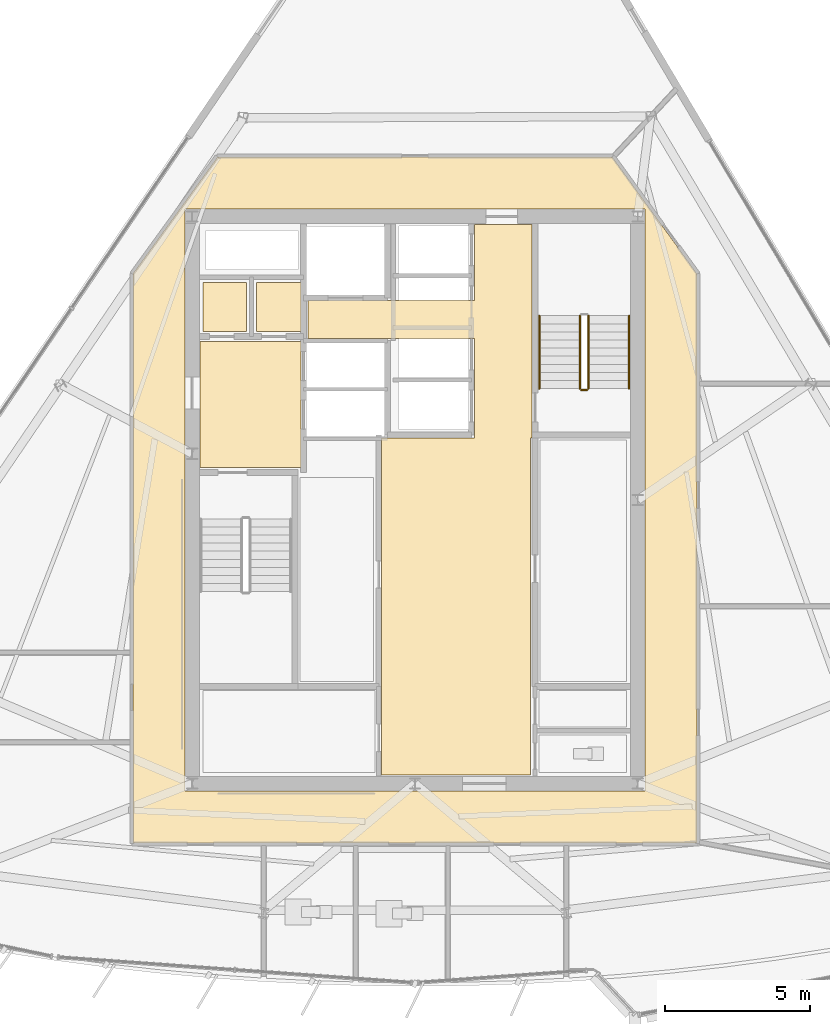
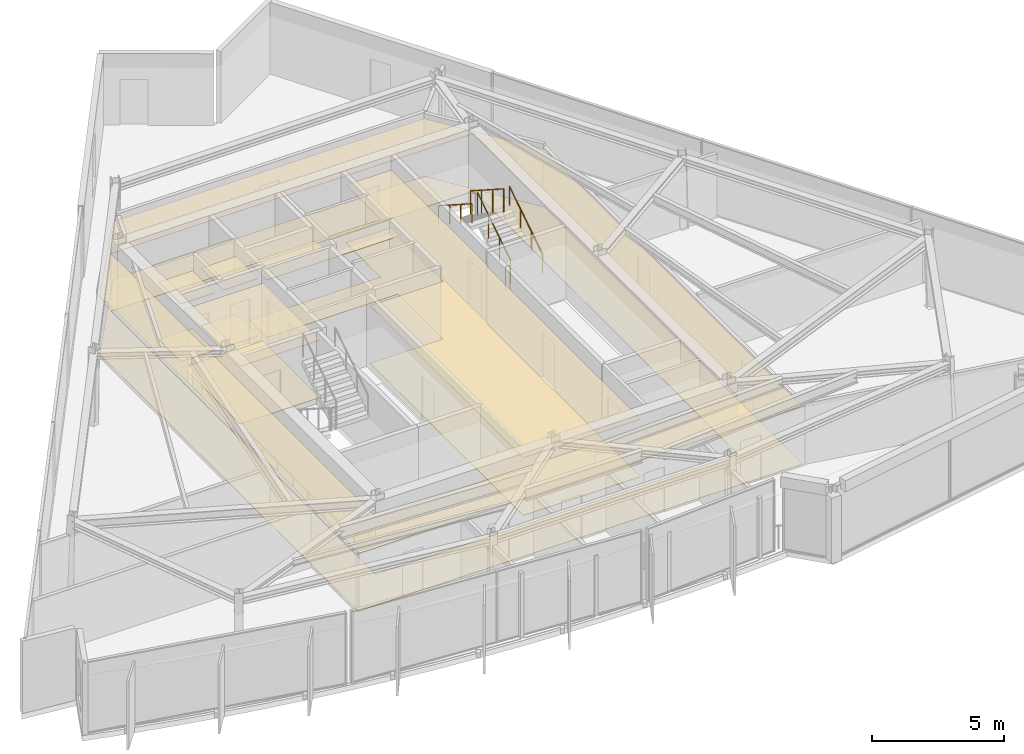
# One storey, part 10 of 13: 10 coverings, 5 railings.
"""IFC4 building model written with IfcOpenShell, lengths in metres."""

from ifc_helpers import new_model, si_unit, direction, frame, origin, origin_2d, place, context, subcontext, project, spatial, polyline, circle, outline, extrude, material, layer, layer_set, type_object, element, save


model = new_model("IFC4")

# Units and contexts
model_context = context("Model", 3, precision=1e-05, world=origin(), true_north=direction((0.0, 1.0)))
body_context = subcontext(model_context, "Body", "Model", "MODEL_VIEW")
ifc_project = project(units=[si_unit("LENGTHUNIT", "METRE"), si_unit("AREAUNIT", "SQUARE_METRE"), si_unit("VOLUMEUNIT", "CUBIC_METRE"), si_unit("PLANEANGLEUNIT", "RADIAN"), si_unit("MASSUNIT", "GRAM", prefix="KILO")], contexts=[model_context])

# Site, building, storey
site_placement = place(None, origin())
site = spatial("IfcSite", under=ifc_project, at=site_placement, CompositionType="ELEMENT")
building_placement = place(site_placement, origin())
building = spatial("IfcBuilding", under=site, at=building_placement, Name="Savorim Split Tower", CompositionType="ELEMENT")
storey_placement = place(building_placement, frame((0.0, 0.0, 265.199951171875)))
storey = spatial("IfcBuildingStorey", under=building, at=storey_placement, Name="L70", CompositionType="ELEMENT", Elevation=265.199951171875)

# Coverings
ifc_material_1 = material(Name="Mineral Fibre Acoustic Ceiling")
ifc_layer_1 = layer(ifc_material_1, 0.02490234375)
ifc_layer_set_1 = layer_set([ifc_layer_1], Name="COV-CEIL-25")
covering_type_1 = type_object("IfcCoveringType", Name="COV-CEIL-25", PredefinedType="CEILING", material=ifc_layer_set_1)
covering_1_placement = place(storey_placement, frame((0.0, 0.0, 2.670166015625)))
element("IfcCovering", 1, at=covering_1_placement, inside=storey, type_object=covering_type_1, Name="L70 Firefighting Lift Lobby Acoustic Ceiling", PredefinedType="CEILING", context=body_context, shape_type="SweptSolid", body=[
    extrude(outline(polyline([(-7.429931640625, 5.8701171875), (-7.429931640625, 1.530029296875), (-3.929931640625, 1.530029296875), (-3.929931640625, 5.8701171875), (-7.429931640625, 5.8701171875)])), origin(), (0.0, 0.0, 1.0), 0.02490234375),
])
covering_2_placement = place(storey_placement, frame((0.0, 0.0, 2.670166015625)))
element("IfcCovering", 2, at=covering_2_placement, inside=storey, type_object=covering_type_1, Name="L70 Electrical Riser Acoustic Ceiling", PredefinedType="CEILING", context=body_context, shape_type="SweptSolid", body=[
    extrude(outline(polyline([(-7.320068359375, 7.919921875), (-7.320068359375, 6.22998046875), (-5.830078125, 6.22998046875), (-5.830078125, 7.919921875), (-7.320068359375, 7.919921875)])), origin(), (0.0, 0.0, 1.0), 0.02490234375),
])
covering_3_placement = place(storey_placement, frame((0.0, 0.0, 2.670166015625)))
element("IfcCovering", 3, at=covering_3_placement, inside=storey, type_object=covering_type_1, Name="L70 Telecom Riser Acoustic Ceiling", PredefinedType="CEILING", context=body_context, shape_type="SweptSolid", body=[
    extrude(outline(polyline([(-5.469970703125, 7.919921875), (-5.469970703125, 6.22998046875), (-3.929931640625, 6.22998046875), (-3.929931640625, 7.919921875), (-5.469970703125, 7.919921875)])), origin(), (0.0, 0.0, 1.0), 0.02490234375),
])
covering_4_placement = place(storey_placement, frame((0.0, 0.0, 2.670166015625)))
element("IfcCovering", 4, at=covering_4_placement, inside=storey, type_object=covering_type_1, Name="L70 Lift Lobby Acoustic Ceiling", PredefinedType="CEILING", context=body_context, shape_type="SweptSolid", body=[
    extrude(outline(polyline([(2.050048828125, 2.550048828125), (-1.14990234375, 2.550048828125), (-1.14990234375, -9.10009765625), (4.0, -9.10009765625), (4.0, 2.550048828125), (4.050048828125, 2.550048828125), (4.050048828125, 5.97998046875), (4.050048828125, 7.300048828125), (4.050048828125, 9.929931640625), (2.050048828125, 9.929931640625), (2.050048828125, 7.300048828125), (-3.699951171875, 7.300048828125), (-3.699951171875, 5.97998046875), (2.050048828125, 5.97998046875), (2.050048828125, 2.550048828125)])), origin(), (0.0, 0.0, 1.0), 0.02490234375),
])
covering_5_placement = place(storey_placement, frame((0.0, 0.0, 2.670166015625)))
element("IfcCovering", 5, at=covering_5_placement, inside=storey, type_object=covering_type_1, Name="L70 Corridor Acoustic Ceiling", PredefinedType="CEILING", context=body_context, shape_type="SweptSolid", body=[
    extrude(outline(polyline([(6.809326171875, 12.2490234375), (6.8046875, 12.249755859375), (6.800048828125, 12.25), (-6.800048828125, 12.25), (-6.8046875, 12.249755859375), (-6.809326171875, 12.2490234375), (-6.81396484375, 12.248046875), (-6.818359375, 12.24658203125), (-6.82275390625, 12.244384765625), (-6.826904296875, 12.2421875), (-6.830810546875, 12.239501953125), (-6.834228515625, 12.236328125), (-6.83740234375, 12.23291015625), (-6.840576171875, 12.229248046875), (-9.740478515625, 8.229248046875), (-9.743408203125, 8.22509765625), (-9.74560546875, 8.22021484375), (-9.74755859375, 8.21533203125), (-9.748779296875, 8.21044921875), (-9.749755859375, 8.205078125), (-9.75, 8.199951171875), (-9.75, -11.39990234375), (-9.749755859375, -11.40478515625), (-9.7490234375, -11.409912109375), (-9.747802734375, -11.41455078125), (-9.74609375, -11.419189453125), (-9.744140625, -11.423583984375), (-9.74169921875, -11.427734375), (-9.73876953125, -11.431640625), (-9.7353515625, -11.435302734375), (-9.731689453125, -11.438720703125), (-9.727783203125, -11.441650390625), (-9.7236328125, -11.444091796875), (-9.718994140625, -11.4462890625), (-9.714599609375, -11.44775390625), (-9.709716796875, -11.448974609375), (-9.704833984375, -11.44970703125), (-9.699951171875, -11.449951171875), (9.699951171875, -11.449951171875), (9.704833984375, -11.44970703125), (9.709716796875, -11.448974609375), (9.714599609375, -11.44775390625), (9.718994140625, -11.4462890625), (9.7236328125, -11.444091796875), (9.727783203125, -11.441650390625), (9.731689453125, -11.438720703125), (9.7353515625, -11.435302734375), (9.73876953125, -11.431640625), (9.74169921875, -11.427734375), (9.744140625, -11.423583984375), (9.74609375, -11.419189453125), (9.747802734375, -11.41455078125), (9.7490234375, -11.409912109375), (9.749755859375, -11.40478515625), (9.75, -11.39990234375), (9.75, 8.199951171875), (9.749755859375, 8.205078125), (9.748779296875, 8.21044921875), (9.74755859375, 8.21533203125), (9.74560546875, 8.22021484375), (9.743408203125, 8.22509765625), (9.740478515625, 8.229248046875), (6.840576171875, 12.229248046875), (6.83740234375, 12.23291015625), (6.834228515625, 12.236328125), (6.830810546875, 12.239501953125), (6.826904296875, 12.2421875), (6.82275390625, 12.244384765625), (6.818359375, 12.24658203125), (6.81396484375, 12.248046875), (6.809326171875, 12.2490234375)]), holes=[polyline([(-7.949951171875, 10.449951171875), (-7.949951171875, -9.64990234375), (7.949951171875, -9.64990234375), (7.949951171875, 10.449951171875), (-7.949951171875, 10.449951171875)])]), origin(), (0.0, 0.0, 1.0), 0.02490234375),
])
ifc_material_2 = material(Name="Porcelain Stoneware Flooring", Category="masonry")
ifc_layer_2 = layer(ifc_material_2, 0.02001953125)
ifc_layer_set_2 = layer_set([ifc_layer_2], Name="COV-FLOR-20")
covering_type_2 = type_object("IfcCoveringType", Name="COV-FLOR-20", PredefinedType="FLOORING", material=ifc_layer_set_2)
covering_6_placement = place(storey_placement, origin())
element("IfcCovering", 6, at=covering_6_placement, inside=storey, type_object=covering_type_2, Name="L70 Firefighting Lift Lobby Porcelain Flooring", PredefinedType="FLOORING", context=body_context, shape_type="SweptSolid", body=[
    extrude(outline(polyline([(-7.429931640625, 5.8701171875), (-7.429931640625, 1.530029296875), (-3.929931640625, 1.530029296875), (-3.929931640625, 5.8701171875), (-7.429931640625, 5.8701171875)])), origin(), (0.0, 0.0, 1.0), 0.02001953125),
])
covering_7_placement = place(storey_placement, origin())
element("IfcCovering", 7, at=covering_7_placement, inside=storey, type_object=covering_type_2, Name="L70 Electrical Riser Porcelain Flooring", PredefinedType="FLOORING", context=body_context, shape_type="SweptSolid", body=[
    extrude(outline(polyline([(-7.320068359375, 7.919921875), (-7.320068359375, 6.22998046875), (-5.830078125, 6.22998046875), (-5.830078125, 7.919921875), (-7.320068359375, 7.919921875)])), origin(), (0.0, 0.0, 1.0), 0.02001953125),
])
covering_8_placement = place(storey_placement, origin())
element("IfcCovering", 8, at=covering_8_placement, inside=storey, type_object=covering_type_2, Name="L70 Telecom Riser Porcelain Flooring", PredefinedType="FLOORING", context=body_context, shape_type="SweptSolid", body=[
    extrude(outline(polyline([(-5.469970703125, 7.919921875), (-5.469970703125, 6.22998046875), (-3.929931640625, 6.22998046875), (-3.929931640625, 7.919921875), (-5.469970703125, 7.919921875)])), origin(), (0.0, 0.0, 1.0), 0.02001953125),
])
covering_9_placement = place(storey_placement, origin())
element("IfcCovering", 9, at=covering_9_placement, inside=storey, type_object=covering_type_2, Name="L70 Lift Lobby Porcelain Flooring", PredefinedType="FLOORING", context=body_context, shape_type="SweptSolid", body=[
    extrude(outline(polyline([(2.050048828125, 2.550048828125), (-1.14990234375, 2.550048828125), (-1.14990234375, -9.10009765625), (4.0, -9.10009765625), (4.0, 2.550048828125), (4.050048828125, 2.550048828125), (4.050048828125, 5.97998046875), (4.050048828125, 7.300048828125), (4.050048828125, 9.929931640625), (2.050048828125, 9.929931640625), (2.050048828125, 7.300048828125), (-3.699951171875, 7.300048828125), (-3.699951171875, 5.97998046875), (2.050048828125, 5.97998046875), (2.050048828125, 2.550048828125)])), origin(), (0.0, 0.0, 1.0), 0.02001953125),
])
covering_10_placement = place(storey_placement, origin())
element("IfcCovering", 10, at=covering_10_placement, inside=storey, type_object=covering_type_2, Name="L70 Corridor Porcelain Flooring", PredefinedType="FLOORING", context=body_context, shape_type="SweptSolid", body=[
    extrude(outline(polyline([(6.809326171875, 12.2490234375), (6.8046875, 12.249755859375), (6.800048828125, 12.25), (-6.800048828125, 12.25), (-6.8046875, 12.249755859375), (-6.809326171875, 12.2490234375), (-6.81396484375, 12.248046875), (-6.818359375, 12.24658203125), (-6.82275390625, 12.244384765625), (-6.826904296875, 12.2421875), (-6.830810546875, 12.239501953125), (-6.834228515625, 12.236328125), (-6.83740234375, 12.23291015625), (-6.840576171875, 12.229248046875), (-9.740478515625, 8.229248046875), (-9.743408203125, 8.22509765625), (-9.74560546875, 8.22021484375), (-9.74755859375, 8.21533203125), (-9.748779296875, 8.21044921875), (-9.749755859375, 8.205078125), (-9.75, 8.199951171875), (-9.75, -11.39990234375), (-9.749755859375, -11.40478515625), (-9.7490234375, -11.409912109375), (-9.747802734375, -11.41455078125), (-9.74609375, -11.419189453125), (-9.744140625, -11.423583984375), (-9.74169921875, -11.427734375), (-9.73876953125, -11.431640625), (-9.7353515625, -11.435302734375), (-9.731689453125, -11.438720703125), (-9.727783203125, -11.441650390625), (-9.7236328125, -11.444091796875), (-9.718994140625, -11.4462890625), (-9.714599609375, -11.44775390625), (-9.709716796875, -11.448974609375), (-9.704833984375, -11.44970703125), (-9.699951171875, -11.449951171875), (9.699951171875, -11.449951171875), (9.704833984375, -11.44970703125), (9.709716796875, -11.448974609375), (9.714599609375, -11.44775390625), (9.718994140625, -11.4462890625), (9.7236328125, -11.444091796875), (9.727783203125, -11.441650390625), (9.731689453125, -11.438720703125), (9.7353515625, -11.435302734375), (9.73876953125, -11.431640625), (9.74169921875, -11.427734375), (9.744140625, -11.423583984375), (9.74609375, -11.419189453125), (9.747802734375, -11.41455078125), (9.7490234375, -11.409912109375), (9.749755859375, -11.40478515625), (9.75, -11.39990234375), (9.75, 8.199951171875), (9.749755859375, 8.205078125), (9.748779296875, 8.21044921875), (9.74755859375, 8.21533203125), (9.74560546875, 8.22021484375), (9.743408203125, 8.22509765625), (9.740478515625, 8.229248046875), (6.840576171875, 12.229248046875), (6.83740234375, 12.23291015625), (6.834228515625, 12.236328125), (6.830810546875, 12.239501953125), (6.826904296875, 12.2421875), (6.82275390625, 12.244384765625), (6.818359375, 12.24658203125), (6.81396484375, 12.248046875), (6.809326171875, 12.2490234375)]), holes=[polyline([(-7.949951171875, 10.449951171875), (-7.949951171875, -9.64990234375), (7.949951171875, -9.64990234375), (7.949951171875, 10.449951171875), (-7.949951171875, 10.449951171875)])]), origin(), (0.0, 0.0, 1.0), 0.02001953125),
])

# Railings
ifc_material_3 = material(Name="Galvanised Painted Steel Balustrade", Category="steel")
railing_type_1 = type_object("IfcRailingType", Name="RLG-HR-900", PredefinedType="HANDRAIL", material=ifc_material_3)
railing_1_placement = place(storey_placement, frame((7.39990234375, 4.25, 0.179931640625)))
element("IfcRailing", 11, at=railing_1_placement, inside=storey, type_object=railing_type_1, Name="L70 ST-2 stair handrail 1", PredefinedType="HANDRAIL", context=body_context, shape_type="SweptSolid", body=[
    extrude(circle(Radius=0.02392578125, at=origin_2d()), frame((0.0, 0.0, 0.8759765625), z_axis=(0.0, 0.841162588446, 0.540782303519), x_axis=(-1.0, 0.0, 0.0)), (0.0, 0.0, 1.0), 2.995849609375),
    extrude(circle(Radius=0.02099609375, at=origin_2d()), origin(), (0.0, 0.0, 1.0), 0.851806640625),
    extrude(circle(Radius=0.02099609375, at=origin_2d()), frame((0.0, 0.840087890625, 0.5400390625)), (0.0, 0.0, 1.0), 0.851806640625),
    extrude(circle(Radius=0.02099609375, at=origin_2d()), frame((0.0, 1.679931640625, 1.080078125)), (0.0, 0.0, 1.0), 0.851806640625),
    extrude(circle(Radius=0.02099609375, at=origin_2d()), frame((0.0, 2.52001953125, 1.6201171875)), (0.0, 0.0, 1.0), 0.851806640625),
])
railing_2_placement = place(storey_placement, frame((4.300048828125, 6.77001953125, 1.97998046875)))
element("IfcRailing", 12, at=railing_2_placement, inside=storey, type_object=railing_type_1, Name="L70 ST-2 stair handrail 2", PredefinedType="HANDRAIL", context=body_context, shape_type="SweptSolid", body=[
    extrude(circle(Radius=0.02392578125, at=origin_2d()), frame((0.0, 0.0, 0.8759765625), z_axis=(0.0, -0.841162588446, 0.540782303519), x_axis=(1.0, 0.0, 0.0)), (0.0, 0.0, 1.0), 2.995849609375),
    extrude(circle(Radius=0.02099609375, at=origin_2d()), origin(), (0.0, 0.0, 1.0), 0.851806640625),
    extrude(circle(Radius=0.02099609375, at=origin_2d()), frame((0.0, -0.840087890625, 0.5400390625)), (0.0, 0.0, 1.0), 0.851806640625),
    extrude(circle(Radius=0.02099609375, at=origin_2d()), frame((0.0, -1.679931640625, 1.080078125)), (0.0, 0.0, 1.0), 0.851806640625),
    extrude(circle(Radius=0.02099609375, at=origin_2d()), frame((0.0, -2.52001953125, 1.6201171875)), (0.0, 0.0, 1.0), 0.851806640625),
])
railing_type_2 = type_object("IfcRailingType", Name="RLG-STG-1100", PredefinedType="BALUSTRADE", material=ifc_material_3)
railing_3_placement = place(storey_placement, frame((6.0, 4.25, 0.179931640625)))
element("IfcRailing", 13, at=railing_3_placement, inside=storey, type_object=railing_type_2, Name="L70 ST-2 stair guard 1", PredefinedType="BALUSTRADE", context=body_context, shape_type="SweptSolid", body=[
    extrude(circle(Radius=0.02392578125, at=origin_2d()), frame((0.0, 0.0, 1.076171875), z_axis=(0.0, 0.841162588446, 0.540782303519), x_axis=(-1.0, 0.0, 0.0)), (0.0, 0.0, 1.0), 2.995849609375),
    extrude(circle(Radius=0.02099609375, at=origin_2d()), origin(), (0.0, 0.0, 1.0), 1.052001953125),
    extrude(circle(Radius=0.02099609375, at=origin_2d()), frame((0.0, 0.840087890625, 0.5400390625)), (0.0, 0.0, 1.0), 1.052001953125),
    extrude(circle(Radius=0.02099609375, at=origin_2d()), frame((0.0, 1.679931640625, 1.080078125)), (0.0, 0.0, 1.0), 1.052001953125),
    extrude(circle(Radius=0.02099609375, at=origin_2d()), frame((0.0, 2.52001953125, 1.6201171875)), (0.0, 0.0, 1.0), 1.052001953125),
])
railing_4_placement = place(storey_placement, frame((5.699951171875, 6.77001953125, 1.97998046875)))
element("IfcRailing", 14, at=railing_4_placement, inside=storey, type_object=railing_type_2, Name="L70 ST-2 stair guard 3", PredefinedType="BALUSTRADE", context=body_context, shape_type="SweptSolid", body=[
    extrude(circle(Radius=0.02392578125, at=origin_2d()), frame((0.0, 0.0, 1.076171875), z_axis=(0.0, -0.841162588446, 0.540782303519), x_axis=(1.0, 0.0, 0.0)), (0.0, 0.0, 1.0), 2.995849609375),
    extrude(circle(Radius=0.02099609375, at=origin_2d()), origin(), (0.0, 0.0, 1.0), 1.052001953125),
    extrude(circle(Radius=0.02099609375, at=origin_2d()), frame((0.0, -0.840087890625, 0.5400390625)), (0.0, 0.0, 1.0), 1.052001953125),
    extrude(circle(Radius=0.02099609375, at=origin_2d()), frame((0.0, -1.679931640625, 1.080078125)), (0.0, 0.0, 1.0), 1.052001953125),
    extrude(circle(Radius=0.02099609375, at=origin_2d()), frame((0.0, -2.52001953125, 1.6201171875)), (0.0, 0.0, 1.0), 1.052001953125),
])
railing_5_placement = place(storey_placement, frame((5.949951171875, 4.199951171875, 0.0)))
element("IfcRailing", 15, at=railing_5_placement, inside=storey, type_object=railing_type_2, Name="L70 ST-2 stair guard 4", PredefinedType="BALUSTRADE", context=body_context, shape_type="SweptSolid", body=[
    extrude(circle(Radius=0.02392578125, at=origin_2d()), frame((0.0, 0.0, 1.076171875), z_axis=(-1.0, 0.0, 0.0), x_axis=(0.0, -1.0, 0.0)), (0.0, 0.0, 1.0), 0.199951171875),
    extrude(circle(Radius=0.02099609375, at=origin_2d()), origin(), (0.0, 0.0, 1.0), 1.052001953125),
    extrude(circle(Radius=0.02099609375, at=origin_2d()), frame((-0.199951171875, 0.0, 0.0)), (0.0, 0.0, 1.0), 1.052001953125),
])

save(model, "model.ifc")
